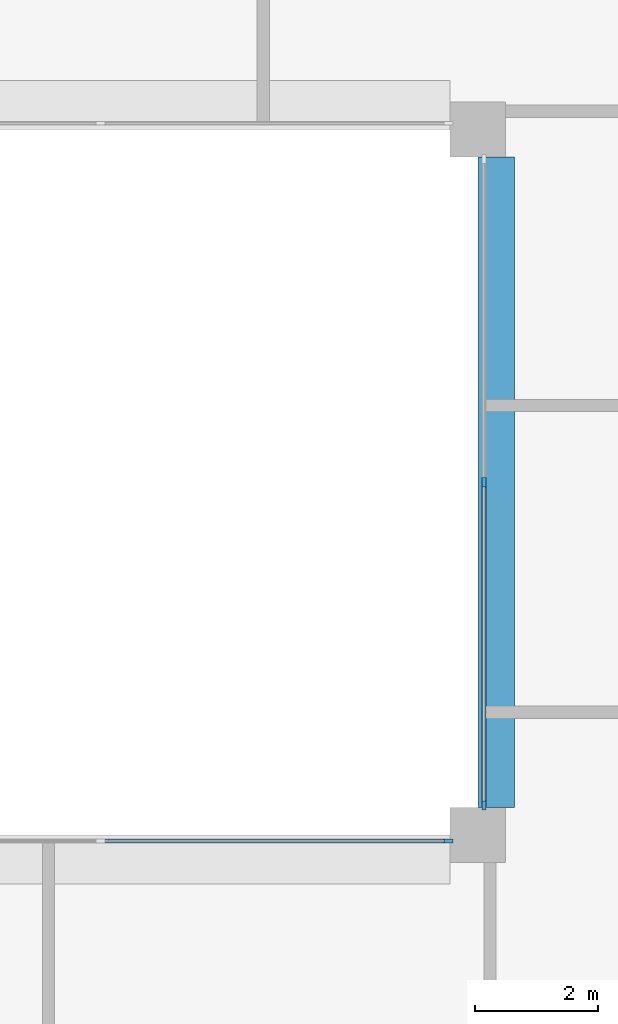
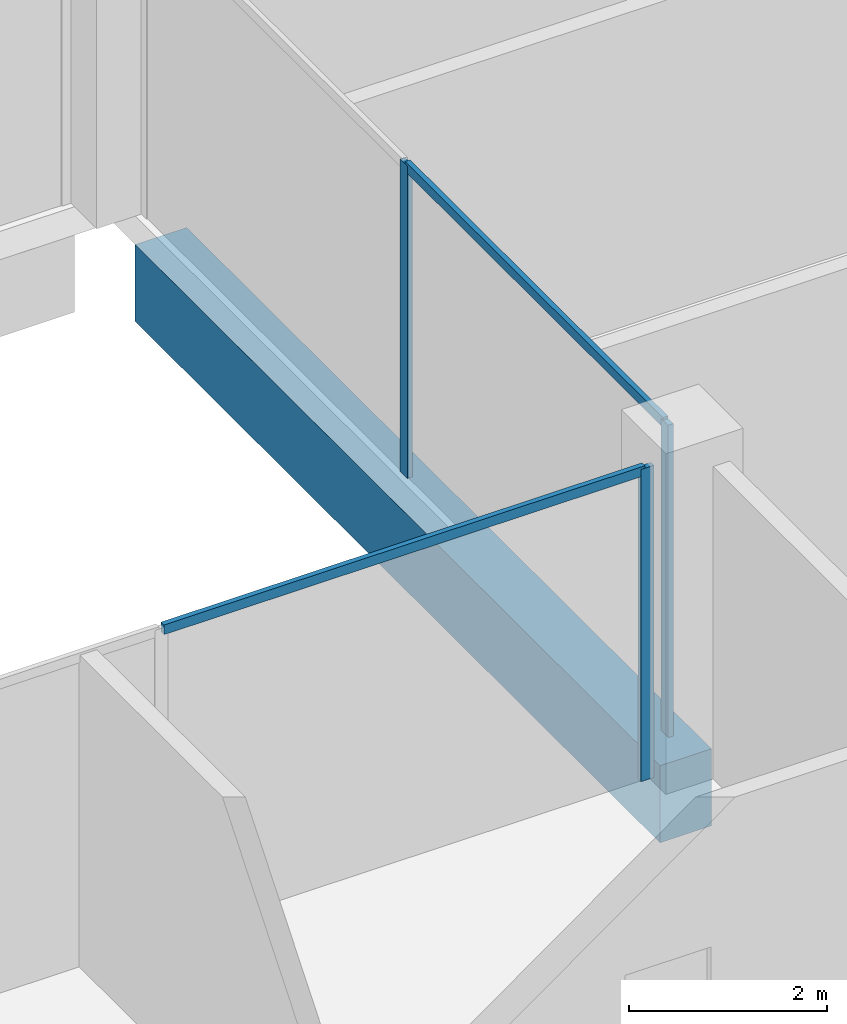
# One storey, part 5 of 15: 5 members, 1 beam, 2 elements without a shape of their own.
"""IFC4 building model written with IfcOpenShell, lengths in metres."""

from ifc_helpers import new_model, si_unit, direction, frame, origin, origin_2d, place, context, subcontext, project, spatial, rectangle, extrude, material, layer, layer_set, material_profile, profile_set, type_object, element, aggregate, save


model = new_model("IFC4")

# Units and contexts
model_context = context("Model", 3, precision=1e-05, world=origin(), true_north=direction((0.0, 1.0)))
body_context = subcontext(model_context, "Body", "Model", "MODEL_VIEW")
ifc_project = project(units=[si_unit("LENGTHUNIT", "METRE"), si_unit("AREAUNIT", "SQUARE_METRE"), si_unit("VOLUMEUNIT", "CUBIC_METRE"), si_unit("PLANEANGLEUNIT", "RADIAN"), si_unit("MASSUNIT", "GRAM", prefix="KILO")], contexts=[model_context])

# Site, building, storey
site_placement = place(None, origin())
site = spatial("IfcSite", under=ifc_project, at=site_placement, CompositionType="ELEMENT")
building_placement = place(site_placement, origin())
building = spatial("IfcBuilding", under=site, at=building_placement, Name="Brigalow Station Residences", CompositionType="ELEMENT")
storey_placement = place(building_placement, frame((0.0, 0.0, 240.0)))
storey = spatial("IfcBuildingStorey", under=building, at=storey_placement, Name="L69", CompositionType="ELEMENT", Elevation=240.0)

# Beam
ifc_material_1 = material(Name="Concrete C65", Category="concrete")
ifc_material_profile_1 = material_profile(ifc_material_1, rectangle(XDim=0.60009765625, YDim=0.949951171875, at=origin_2d()), Name="RC600x950")
ifc_profile_set_1 = profile_set([ifc_material_profile_1], Name="Concrete C65")
beam_type = type_object("IfcBeamType", Name="ATRIUM EDGE GIRDER 600x950 C65", PredefinedType="BEAM", material=ifc_profile_set_1)
beam_placement = place(storey_placement, frame((45.300048828125, 24.449951171875, -0.824951171875), z_axis=(0.0, 1.0, 0.0), x_axis=(-1.0, 0.0, 0.0)))
element("IfcBeam", 1, at=beam_placement, inside=storey, type_object=beam_type, Name="ATRIUM EDGE GIRDER 5 L69", PredefinedType="BEAM", context=body_context, shape_type="SweptSolid", body=[
    extrude(rectangle(XDim=0.60009765625, YDim=0.949951171875, at=origin_2d()), origin(), (0.0, 0.0, 1.0), 10.60009765625),
])

# Curtain wall, member
ifc_material_2 = material(Name="Aluminium", Category="aluminium")
ifc_layer = layer(ifc_material_2, 0.14990234375)
ifc_layer_set = layer_set([ifc_layer], Name="ATRIUM FIRE-RATED GLAZING CURTAIN WALL")
curtain_wall_type = type_object("IfcCurtainWallType", Name="ATRIUM FIRE-RATED GLAZING CURTAIN WALL", PredefinedType="NOTDEFINED", material=ifc_layer_set)
curtain_wall_1_placement = place(storey_placement, origin())
curtain_wall_1 = element("IfcCurtainWall", 2, at=curtain_wall_1_placement, inside=storey, type_object=curtain_wall_type, Name="L69/cw/atrium-S", PredefinedType="NOTDEFINED")
ifc_material_3 = material(Name="Aluminium", Category="aluminium")
ifc_material_profile_2 = material_profile(ifc_material_3, rectangle(XDim=0.06005859375, YDim=0.14990234375, at=origin_2d()), Name="ATRIUM FIRE-RATED GLAZING MULLION 60x150")
ifc_profile_set_2 = profile_set([ifc_material_profile_2], Name="Aluminium")
member_type_1 = type_object("IfcMemberType", Name="ATRIUM FIRE-RATED GLAZING MULLION 60x150", PredefinedType="MULLION", material=ifc_profile_set_2)
member_1_placement = place(storey_placement, frame((44.52001953125, 23.89990234375, 0.0), z_axis=(0.0, 0.0, 1.0), x_axis=(0.0, 1.0, 0.0)))
member_1 = element("IfcMember", 3, at=member_1_placement, type_object=member_type_1, Name="L69/cw/atrium-S/M03", PredefinedType="MULLION", context=body_context, shape_type="SweptSolid", body=[
    extrude(rectangle(XDim=0.06005859375, YDim=0.14990234375, at=origin_2d()), origin(), (0.0, 0.0, 1.0), 3.85009765625),
])

# Curtain wall, members
curtain_wall_2_placement = place(storey_placement, origin())
curtain_wall_2 = element("IfcCurtainWall", 4, at=curtain_wall_2_placement, inside=storey, type_object=curtain_wall_type, Name="L69/cw/atrium-E", PredefinedType="NOTDEFINED")
member_2_placement = place(storey_placement, frame((45.10009765625, 24.47998046875, 0.0), z_axis=(0.0, 0.0, 1.0), x_axis=(-1.0, 0.0, 0.0)))
member_2 = element("IfcMember", 5, at=member_2_placement, type_object=member_type_1, Name="L69/cw/atrium-E/M00", PredefinedType="MULLION", context=body_context, shape_type="SweptSolid", body=[
    extrude(rectangle(XDim=0.06005859375, YDim=0.14990234375, at=origin_2d()), origin(), (0.0, 0.0, 1.0), 3.85009765625),
])
member_3_placement = place(storey_placement, frame((45.10009765625, 29.75, 0.0), z_axis=(0.0, 0.0, 1.0), x_axis=(-1.0, 0.0, 0.0)))
member_3 = element("IfcMember", 6, at=member_3_placement, type_object=member_type_1, Name="L69/cw/atrium-E/M01", PredefinedType="MULLION", context=body_context, shape_type="SweptSolid", body=[
    extrude(rectangle(XDim=0.06005859375, YDim=0.14990234375, at=origin_2d()), origin(), (0.0, 0.0, 1.0), 3.85009765625),
])

# Member
ifc_material_4 = material(Name="Aluminium", Category="aluminium")
ifc_material_profile_3 = material_profile(ifc_material_4, rectangle(XDim=0.06005859375, YDim=0.1201171875, at=origin_2d()), Name="ATRIUM FIRE-RATED GLAZING TRANSOM 60x120")
ifc_profile_set_3 = profile_set([ifc_material_profile_3], Name="Aluminium")
member_type_2 = type_object("IfcMemberType", Name="ATRIUM FIRE-RATED GLAZING TRANSOM 60x120", PredefinedType="USERDEFINED", material=ifc_profile_set_3)
member_4_placement = place(storey_placement, frame((38.8798828125, 23.89990234375, 3.820068359375), z_axis=(1.0, 0.0, 0.0), x_axis=(0.0, 1.0, 0.0)))
member_4 = element("IfcMember", 7, at=member_4_placement, type_object=member_type_2, Name="L69/cw/atrium-S/T02-00", ObjectType="TRANSOM", PredefinedType="USERDEFINED", context=body_context, shape_type="SweptSolid", body=[
    extrude(rectangle(XDim=0.06005859375, YDim=0.1201171875, at=origin_2d()), origin(), (0.0, 0.0, 1.0), 5.610107421875),
])

aggregate(curtain_wall_1, [member_1, member_4])

member_5_placement = place(storey_placement, frame((45.10009765625, 24.510009765625, 3.820068359375), z_axis=(0.0, 1.0, 0.0), x_axis=(-1.0, 0.0, 0.0)))
member_5 = element("IfcMember", 8, at=member_5_placement, type_object=member_type_2, Name="L69/cw/atrium-E/T00-00", ObjectType="TRANSOM", PredefinedType="USERDEFINED", context=body_context, shape_type="SweptSolid", body=[
    extrude(rectangle(XDim=0.06005859375, YDim=0.1201171875, at=origin_2d()), origin(), (0.0, 0.0, 1.0), 5.2099609375),
])

aggregate(curtain_wall_2, [member_2, member_3, member_5])

save(model, "model.ifc")
